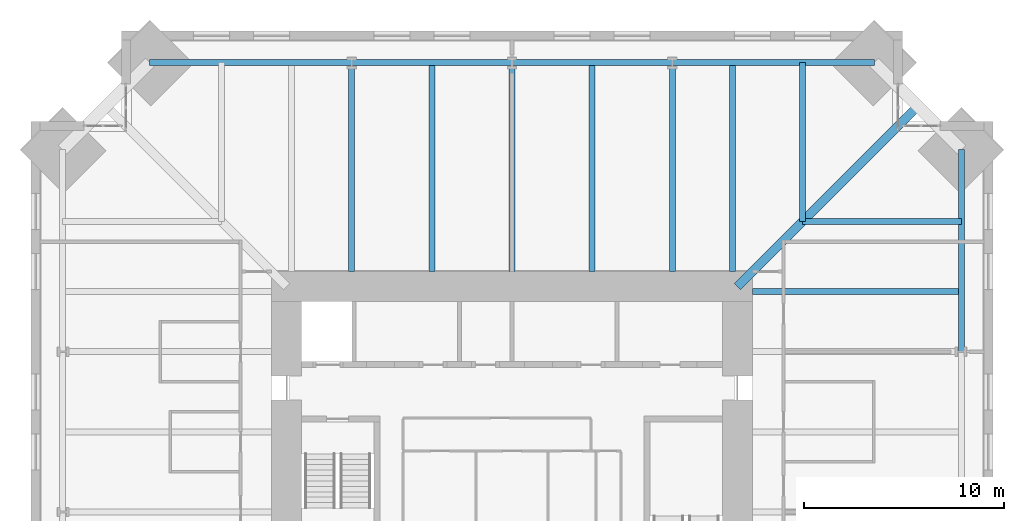
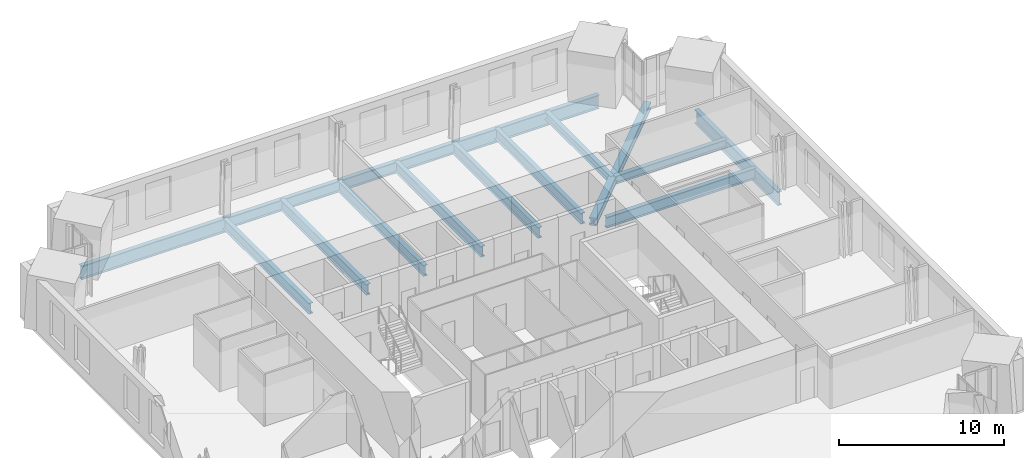
# One storey, part 7 of 15: 15 beams.
"""IFC4 building model written with IfcOpenShell, lengths in metres."""

import ifcopenshell
import ifcopenshell.guid

model = None  # the IFC model being written
_history = None  # IfcOwnerHistory: only IFC2X3 demands one
_inside = {}  # id of a spatial element -> (the spatial element, [elements in it])
_under = {}  # id of a project, library or spatial element -> (it, [spatial elements below it])
_declared = {}  # id of a project -> (the project, [libraries it declares])
_typed = {}  # id of a type object -> (the type object, [elements of that type])
_made_of = {}  # id of a material, layer set ... -> (it, [elements and type objects made of it])


def new_model(schema):
    """Start an empty IFC model of exactly this schema.

    Asked for "IFC4X3", IfcOpenShell would pick the latest addendum, in which some entities
    have other attributes; the version numbers below select the first issue.
    IFC2X3 requires an IfcOwnerHistory on every rooted entity: one is made here for all.
    """
    global model, _history
    if schema == "IFC4X3":
        model = ifcopenshell.file(schema_version=(4, 3, 0, 0))
    else:
        model = ifcopenshell.file(schema=schema)
    _inside.clear()
    _under.clear()
    _declared.clear()
    _typed.clear()
    _made_of.clear()
    _history = None
    if model.schema == "IFC2X3":
        org = make("IfcOrganization", Name="unknown")
        user = make(
            "IfcPersonAndOrganization",
            ThePerson=make("IfcPerson", FamilyName="unknown"),
            TheOrganization=org,
        )
        app = make(
            "IfcApplication",
            ApplicationDeveloper=org,
            Version="unknown",
            ApplicationFullName="unknown",
            ApplicationIdentifier="unknown",
        )
        _history = make(
            "IfcOwnerHistory",
            OwningUser=user,
            OwningApplication=app,
            ChangeAction="ADDED",
            CreationDate=0,
        )
    return model


def make(cls, **values):
    """One entity of the class cls with the attributes given. An attribute that is None is left unset."""
    return model.create_entity(
        cls, **{name: value for name, value in values.items() if value is not None}
    )


def rooted(cls, **values):
    """An entity with a GlobalId (a new one), such as an element, a storey or a relation."""
    return make(cls, GlobalId=ifcopenshell.guid.new(), OwnerHistory=_history, **values)


def si_unit(unit_type, name, prefix=None):
    """IfcSIUnit, for example si_unit("LENGTHUNIT", "METRE", prefix="MILLI")."""
    return make("IfcSIUnit", UnitType=unit_type, Prefix=prefix, Name=name)


def assignment(units):
    """IfcUnitAssignment: the units of a project."""
    return None if units is None else make("IfcUnitAssignment", Units=units)


def point(xyz):
    """IfcCartesianPoint."""
    return None if xyz is None else make("IfcCartesianPoint", Coordinates=xyz)


def direction(xyz):
    """IfcDirection."""
    return None if xyz is None else make("IfcDirection", DirectionRatios=xyz)


def frame(location, z_axis=None, x_axis=None):
    """IfcAxis2Placement3D, a coordinate frame: its origin and axes. An axis left out is left unset."""
    return make(
        "IfcAxis2Placement3D",
        Location=point(location),
        Axis=direction(z_axis),
        RefDirection=direction(x_axis),
    )


def frame_2d(location, x_axis=None):
    """IfcAxis2Placement2D, a coordinate frame in the plane: its origin and x axis."""
    return make(
        "IfcAxis2Placement2D", Location=point(location), RefDirection=direction(x_axis)
    )


def origin():
    """The frame at (0, 0, 0) with its axes left unset."""
    return frame((0.0, 0.0, 0.0))


def origin_2d():
    """The frame at (0, 0) in the plane with its x axis left unset."""
    return frame_2d((0.0, 0.0))


def place(relative_to, where):
    """IfcLocalPlacement: puts the frame where relative to a parent placement (None: the world)."""
    return make(
        "IfcLocalPlacement", PlacementRelTo=relative_to, RelativePlacement=where
    )


def context(
    kind, dimensions, precision=None, world=None, true_north=None, identifier=None
):
    """IfcGeometricRepresentationContext, for example the 3D "Model" context."""
    return make(
        "IfcGeometricRepresentationContext",
        ContextIdentifier=identifier,
        ContextType=kind,
        CoordinateSpaceDimension=dimensions,
        Precision=precision,
        WorldCoordinateSystem=world,
        TrueNorth=true_north,
    )


def subcontext(parent, identifier, kind, view, scale=None):
    """IfcGeometricRepresentationSubContext, for example "Body" below "Model"."""
    return make(
        "IfcGeometricRepresentationSubContext",
        ContextIdentifier=identifier,
        ContextType=kind,
        ParentContext=parent,
        TargetScale=scale,
        TargetView=view,
    )


def project(units=None, contexts=None):
    """IfcProject with its units and contexts."""
    return rooted(
        "IfcProject",
        Name="project",
        RepresentationContexts=contexts,
        UnitsInContext=assignment(units),
    )


def spatial(cls, under=None, at=None, **own):
    """A site, building, storey or space (cls), placed at a placement, below another one or the project."""
    s = rooted(cls, ObjectPlacement=at, **own)
    if under is not None:
        _under.setdefault(under.id(), (under, []))[1].append(s)
    return s


def profile(cls, at=None, kind="AREA", **sizes):
    """A parametric profile (cls). Its sizes go by their IFC names, for example OverallWidth=200.0."""
    return make(cls, ProfileType=kind, Position=at, **sizes)


def i_section(**sizes):
    """IfcIShapeProfileDef."""
    return profile("IfcIShapeProfileDef", **sizes)


def extrude(swept, where, along, depth):
    """IfcExtrudedAreaSolid: the profile swept, set in the frame where, extruded along a direction by depth."""
    return make(
        "IfcExtrudedAreaSolid",
        SweptArea=swept,
        Position=where,
        ExtrudedDirection=direction(along),
        Depth=depth,
    )


def shape(context_of_items, identifier, shape_type, items):
    """IfcShapeRepresentation: the items that make up one representation, for example the "Body"."""
    return make(
        "IfcShapeRepresentation",
        ContextOfItems=context_of_items,
        RepresentationIdentifier=identifier,
        RepresentationType=shape_type,
        Items=items,
    )


def material(Name=None, Category=None):
    """IfcMaterial."""
    return make("IfcMaterial", Name=Name, Category=Category)


def material_profile(
    of_material, cross_section, Name=None, Category=None, Priority=None
):
    """IfcMaterialProfile: a cross section and its material."""
    return make(
        "IfcMaterialProfile",
        Name=Name,
        Material=of_material,
        Profile=cross_section,
        Priority=Priority,
        Category=Category,
    )


def profile_set(profiles, Name=None, composite=None):
    """IfcMaterialProfileSet."""
    return make(
        "IfcMaterialProfileSet",
        Name=Name,
        MaterialProfiles=profiles,
        CompositeProfile=composite,
    )


def made_of(thing, what):
    """Note that an element or type object is made of a material, layer set ...; save() writes the relation."""
    if what is not None:
        _made_of.setdefault(what.id(), (what, []))[1].append(thing)
    return thing


def type_object(cls, material=None, **own):
    """A type object (cls), such as IfcWallType, which elements share."""
    return made_of(rooted(cls, **own), material)


def element(
    cls,
    number,
    at=None,
    inside=None,
    cuts=None,
    type_object=None,
    material=None,
    context=None,
    identifier="Body",
    shape_type=None,
    held_by="IfcProductDefinitionShape",
    body=None,
    shapes=None,
    **own,
):
    """One element of the class cls, such as IfcWall. Its Tag is "e" and its number.

    at: its placement. inside: the storey or other place that contains it. cuts: it is an
    opening in that element (IfcRelVoidsElement). A single representation is given by context,
    identifier, shape_type and body (its items); several are given by shapes. held_by: the class
    of the entity that holds the representations. save() writes the other relations.
    """
    e = rooted(cls, Tag="e%d" % number, ObjectPlacement=at, **own)
    if body is not None:
        shapes = [shape(context, identifier, shape_type, body)]
    if shapes is not None:
        e.Representation = make(held_by, Representations=shapes)
    if inside is not None:
        _inside.setdefault(inside.id(), (inside, []))[1].append(e)
    if cuts is not None:
        rooted(
            "IfcRelVoidsElement", RelatingBuildingElement=cuts, RelatedOpeningElement=e
        )
    if type_object is not None:
        _typed.setdefault(type_object.id(), (type_object, []))[1].append(e)
    return made_of(e, material)


def aggregate(whole, parts):
    """IfcRelAggregates: a whole, such as a stair, and the parts it consists of."""
    return rooted("IfcRelAggregates", RelatingObject=whole, RelatedObjects=parts)


def save(model, path):
    """Write the relations noted so far, then the file.

    IfcRelAggregates (storeys below a building ...), IfcRelContainedInSpatialStructure (elements
    in a storey), IfcRelDefinesByType, IfcRelAssociatesMaterial and IfcRelDeclares: one each for
    every whole, place, type object, material and project.
    """
    for whole, parts in _under.values():
        aggregate(whole, parts)
    for where, things in _inside.values():
        rooted(
            "IfcRelContainedInSpatialStructure",
            RelatedElements=things,
            RelatingStructure=where,
        )
    for kind, things in _typed.values():
        rooted("IfcRelDefinesByType", RelatedObjects=things, RelatingType=kind)
    for what, things in _made_of.values():
        rooted("IfcRelAssociatesMaterial", RelatedObjects=things, RelatingMaterial=what)
    for by, libraries in _declared.values():
        rooted("IfcRelDeclares", RelatingContext=by, RelatedDefinitions=libraries)
    model.write(path)


model = new_model("IFC4")

# Units and contexts
model_context = context("Model", 3, precision=1e-05, world=origin(), true_north=direction((0.0, 1.0)))
body_context = subcontext(model_context, "Body", "Model", "MODEL_VIEW")
ifc_project = project(units=[si_unit("LENGTHUNIT", "METRE"), si_unit("AREAUNIT", "SQUARE_METRE"), si_unit("VOLUMEUNIT", "CUBIC_METRE"), si_unit("PLANEANGLEUNIT", "RADIAN"), si_unit("MASSUNIT", "GRAM", prefix="KILO")], contexts=[model_context])

# Site, building, storey
site_placement = place(None, origin())
site = spatial("IfcSite", under=ifc_project, at=site_placement, CompositionType="ELEMENT")
building_placement = place(site_placement, origin())
building = spatial("IfcBuilding", under=site, at=building_placement, Name="Peilmerk Tower", CompositionType="ELEMENT")
storey_placement = place(building_placement, frame((0.0, 0.0, 209.800048828125)))
storey = spatial("IfcBuildingStorey", under=building, at=storey_placement, Name="L45", CompositionType="ELEMENT", Elevation=209.800048828125)

# Beams
ifc_material_1 = material(Name="Steel S355", Category="steel")
ifc_material_profile_1 = material_profile(ifc_material_1, i_section(OverallWidth=0.302001953125, OverallDepth=1.008056640625, WebThickness=0.02099609375, FlangeThickness=0.0400390625, at=origin_2d()), Name="HEM 1000")
ifc_profile_set_1 = profile_set([ifc_material_profile_1], Name="Steel S355")
beam_type_1 = type_object("IfcBeamType", Name="B1 HEM 1000 edge beam", PredefinedType="SPANDREL", material=ifc_profile_set_1)
for number, where, z_axis, x_axis, name in (
    (1, (18.087158203125, 22.43701171875, -0.674072265625), (-1.0, 0.0, 0.0), (0.0, -1.0, 0.0), "Edge beam L45"),
    (2, (-8.0, 22.43701171875, -0.674072265625), (-1.0, 0.0, 0.0), (0.0, -1.0, 0.0), "Edge beam L45"),
    (3, (22.43701171875, 8.0, -0.674072265625), (0.0, 1.0, 0.0), (-1.0, 0.0, 0.0), "Edge beam L45"),
):
    element("IfcBeam", number, at=place(storey_placement, frame(where, z_axis=z_axis, x_axis=x_axis)), inside=storey, type_object=beam_type_1, Name=name, PredefinedType="SPANDREL", context=body_context, shape_type="SweptSolid", body=[
        extrude(i_section(OverallWidth=0.302001953125, OverallDepth=1.008056640625, WebThickness=0.02099609375, FlangeThickness=0.0400390625, at=origin_2d()), origin(), (0.0, 0.0, 1.0), 10.087158203125),
    ])
ifc_material_profile_2 = material_profile(ifc_material_1, i_section(OverallWidth=0.302978515625, OverallDepth=0.81396484375, WebThickness=0.02099609375, FlangeThickness=0.0400390625, at=origin_2d()), Name="HEM 800")
ifc_profile_set_2 = profile_set([ifc_material_profile_2], Name="Steel S355")
beam_type_2 = type_object("IfcBeamType", Name="B15 HEM 800 edge beam", PredefinedType="SPANDREL", material=ifc_profile_set_2)
for number, where, z_axis, x_axis, name in (
    (4, (8.0, 22.43701171875, -0.5771484375), (-1.0, 0.0, 0.0), (0.0, -1.0, 0.0), "Edge beam L45"),
    (5, (0.0, 22.43701171875, -0.5771484375), (-1.0, 0.0, 0.0), (0.0, -1.0, 0.0), "Edge beam L45"),
):
    element("IfcBeam", number, at=place(storey_placement, frame(where, z_axis=z_axis, x_axis=x_axis)), inside=storey, type_object=beam_type_2, Name=name, PredefinedType="SPANDREL", context=body_context, shape_type="SweptSolid", body=[
        extrude(i_section(OverallWidth=0.302978515625, OverallDepth=0.81396484375, WebThickness=0.02099609375, FlangeThickness=0.0400390625, at=origin_2d()), origin(), (0.0, 0.0, 1.0), 8.0),
    ])
ifc_material_profile_3 = material_profile(ifc_material_1, i_section(OverallWidth=0.300048828125, OverallDepth=0.590087890625, WebThickness=0.012939453125, FlangeThickness=0.02490234375, at=origin_2d()), Name="HEA 600")
ifc_profile_set_3 = profile_set([ifc_material_profile_3], Name="Steel S355")
beam_type_3 = type_object("IfcBeamType", Name="B27 HEA 600 floor beam", PredefinedType="BEAM", material=ifc_profile_set_3)
for number, where, z_axis, x_axis, name in (
    (6, (14.5, 14.5, -0.465087890625), (0.0, 1.0, 0.0), (-1.0, 0.0, 0.0), "Floor beam L45"),
    (7, (14.5, 14.5, -0.465087890625), (1.0, 0.0, 0.0), (0.0, 1.0, 0.0), "Floor beam L45"),
):
    element("IfcBeam", number, at=place(storey_placement, frame(where, z_axis=z_axis, x_axis=x_axis)), inside=storey, type_object=beam_type_3, Name=name, PredefinedType="BEAM", context=body_context, shape_type="SweptSolid", body=[
        extrude(i_section(OverallWidth=0.300048828125, OverallDepth=0.590087890625, WebThickness=0.012939453125, FlangeThickness=0.02490234375, at=origin_2d()), origin(), (0.0, 0.0, 1.0), 7.93701171875),
    ])
ifc_material_profile_4 = material_profile(ifc_material_1, i_section(OverallWidth=0.300048828125, OverallDepth=0.7900390625, WebThickness=0.014892578125, FlangeThickness=0.028076171875, at=origin_2d()), Name="HEA 800")
ifc_profile_set_4 = profile_set([ifc_material_profile_4], Name="Steel S355")
beam_type_4 = type_object("IfcBeamType", Name="B3 HEA 800 floor beam", PredefinedType="BEAM", material=ifc_profile_set_4)
for number, where, z_axis, x_axis, name in (
    (8, (11.0, 12.0, -0.56494140625), (0.0, 1.0, 0.0), (-1.0, 0.0, 0.0), "Floor beam L45"),
    (9, (8.0, 12.0, -0.56494140625), (0.0, 1.0, 0.0), (-1.0, 0.0, 0.0), "Floor beam L45"),
    (10, (4.0, 12.0, -0.56494140625), (0.0, 1.0, 0.0), (-1.0, 0.0, 0.0), "Floor beam L45"),
    (11, (0.0, 12.0, -0.56494140625), (0.0, 1.0, 0.0), (-1.0, 0.0, 0.0), "Floor beam L45"),
    (12, (-4.0, 12.0, -0.56494140625), (0.0, 1.0, 0.0), (-1.0, 0.0, 0.0), "Floor beam L45"),
    (13, (-8.0, 12.0, -0.56494140625), (0.0, 1.0, 0.0), (-1.0, 0.0, 0.0), "Floor beam L45"),
    (14, (12.0, 11.0, -0.56494140625), (1.0, 0.0, 0.0), (0.0, 1.0, 0.0), "Floor beam L45"),
):
    element("IfcBeam", number, at=place(storey_placement, frame(where, z_axis=z_axis, x_axis=x_axis)), inside=storey, type_object=beam_type_4, Name=name, PredefinedType="BEAM", context=body_context, shape_type="SweptSolid", body=[
        extrude(i_section(OverallWidth=0.300048828125, OverallDepth=0.7900390625, WebThickness=0.014892578125, FlangeThickness=0.028076171875, at=origin_2d()), origin(), (0.0, 0.0, 1.0), 10.43701171875),
    ])
ifc_material_2 = material(Name="Steel S460", Category="steel")
ifc_material_profile_5 = material_profile(ifc_material_2, i_section(OverallWidth=0.4541015625, OverallDepth=0.569091796875, WebThickness=0.077880859375, FlangeThickness=0.125, at=origin_2d()), Name="HD 400x1086")
ifc_profile_set_5 = profile_set([ifc_material_profile_5], Name="Steel S460")
beam_type_5 = type_object("IfcBeamType", Name="B9 HD 400x1086 corner girder", PredefinedType="BEAM", material=ifc_profile_set_5)
beam_placement = place(storey_placement, frame((11.25, 11.25, -0.45458984375), z_axis=(0.707106781187, 0.707106781187, 0.0), x_axis=(-0.707106781187, 0.707106781187, 0.0)))
element("IfcBeam", 15, at=beam_placement, inside=storey, type_object=beam_type_5, Name="Corner girder L45", PredefinedType="BEAM", context=body_context, shape_type="SweptSolid", body=[
    extrude(i_section(OverallWidth=0.4541015625, OverallDepth=0.569091796875, WebThickness=0.077880859375, FlangeThickness=0.125, at=origin_2d()), origin(), (0.0, 0.0, 1.0), 12.7451171875),
])

save(model, "model.ifc")
